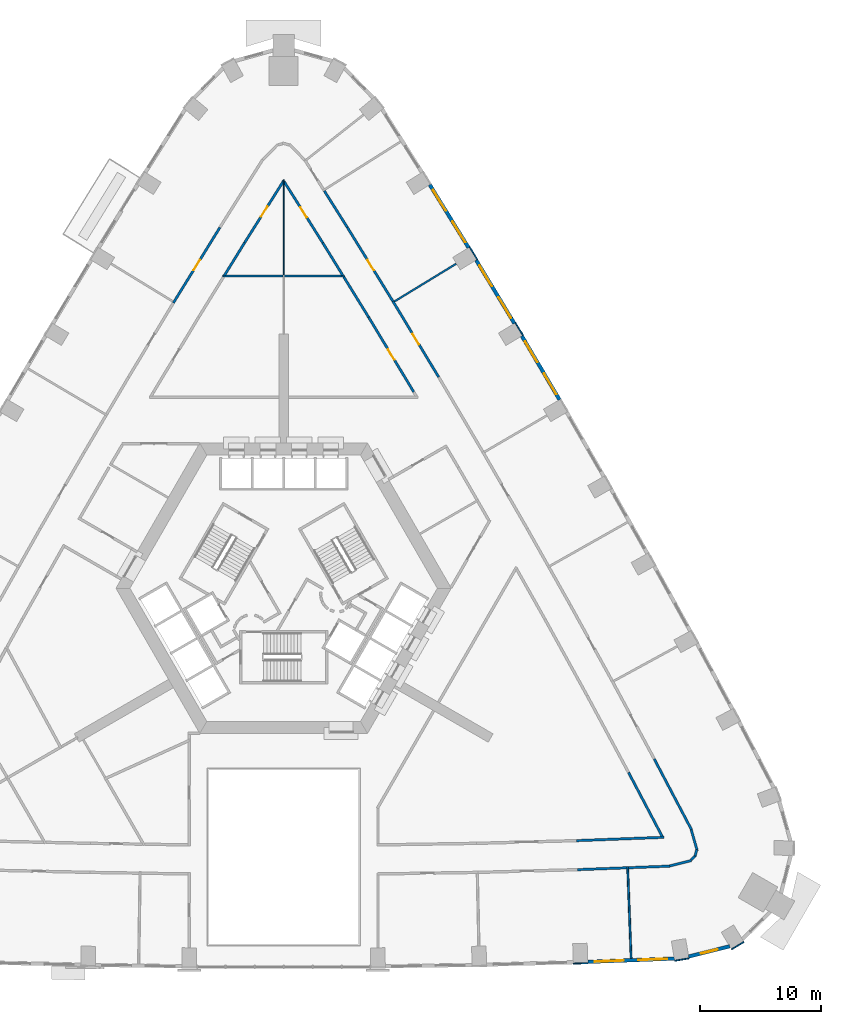
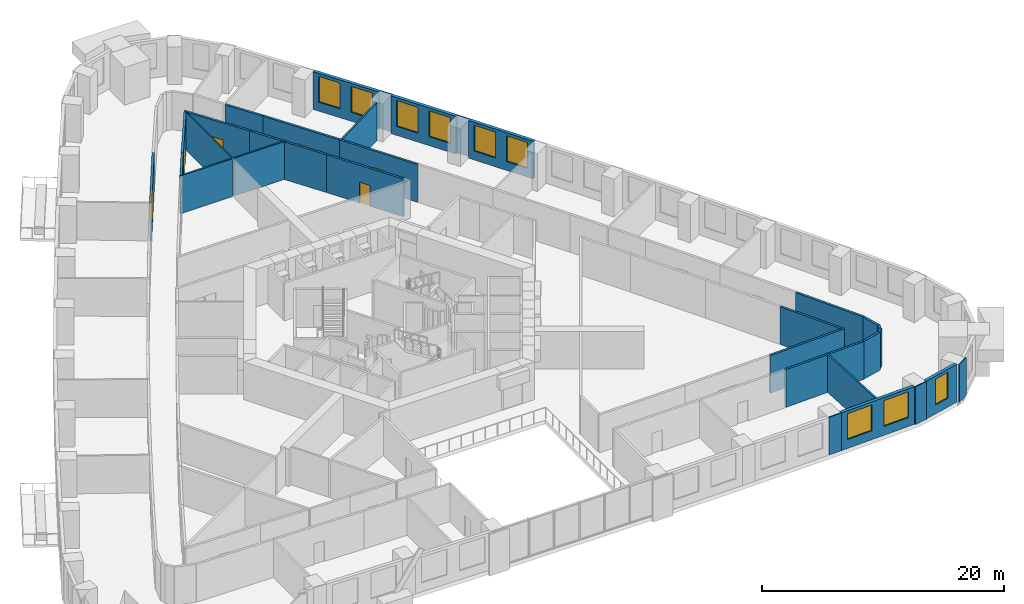
# One storey, part 10 of 15: 34 walls, 9 windows, 6 doors, 15 openings.
"""IFC4 building model written with IfcOpenShell, lengths in metres."""

from ifc_helpers import new_model, si_unit, direction, frame, frame_2d, origin, place, context, subcontext, project, spatial, rectangle, extrude, material, layer, layer_set, type_object, element, fill, save


model = new_model("IFC4")

# Units and contexts
model_context = context("Model", 3, precision=1e-05, world=origin(), true_north=direction((0.0, 1.0)))
body_context = subcontext(model_context, "Body", "Model", "MODEL_VIEW")
ifc_project = project(units=[si_unit("LENGTHUNIT", "METRE"), si_unit("AREAUNIT", "SQUARE_METRE"), si_unit("VOLUMEUNIT", "CUBIC_METRE"), si_unit("PLANEANGLEUNIT", "RADIAN"), si_unit("MASSUNIT", "GRAM", prefix="KILO")], contexts=[model_context])

# Site, building, storey
site_placement = place(None, origin())
site = spatial("IfcSite", under=ifc_project, at=site_placement, CompositionType="ELEMENT")
building_placement = place(site_placement, origin())
building = spatial("IfcBuilding", under=site, at=building_placement, Name="Entoto Arch Interchange Tower", CompositionType="ELEMENT")
storey_placement = place(building_placement, frame((0.0, 0.0, 56.0)))
storey = spatial("IfcBuildingStorey", under=building, at=storey_placement, Name="L11", CompositionType="ELEMENT", Elevation=56.0)

# Walls
ifc_material_1 = material(Name="Gypsum board partition on steel studs", Category="steel")
ifc_layer_1 = layer(ifc_material_1, 0.10009765625)
ifc_layer_set_1 = layer_set([ifc_layer_1], Name="Gypsum board partition on steel studs")
wall_type_1 = type_object("IfcWallType", Name="PARTITION 100", PredefinedType="PARTITIONING", material=ifc_layer_set_1)
wall_1_placement = place(storey_placement, frame((0.0, 28.375, 0.0), z_axis=(0.0, 0.0, 1.0), x_axis=(0.0, 1.0, 0.0)))
element("IfcWall", 1, at=wall_1_placement, inside=storey, type_object=wall_type_1, Name="wall:L11:p122", PredefinedType="PARTITIONING", context=body_context, shape_type="SweptSolid", body=[
    extrude(rectangle(XDim=7.89501953125, YDim=0.10009765625, at=frame_2d((3.947509765625, 0.0))), origin(), (0.0, 0.0, 1.0), 3.800048828125),
])
ifc_layer_2 = layer(ifc_material_1, 0.14990234375)
ifc_layer_set_2 = layer_set([ifc_layer_2], Name="Gypsum board partition on steel studs")
wall_type_2 = type_object("IfcWallType", Name="PARTITION 150", PredefinedType="PARTITIONING", material=ifc_layer_set_2)
for number, where, z_axis, x_axis, name in (
    (2, (0.050048828125, 28.300048828125, 0.0), (0.0, 0.0, 1.0), (1.0, 0.0, 0.0), "wall:L11:p120"),
    (3, (-5.02392578125, 28.300048828125, 0.0), (0.0, 0.0, 1.0), (1.0, 0.0, 0.0), "wall:L11:p121"),
):
    element("IfcWall", number, at=place(storey_placement, frame(where, z_axis=z_axis, x_axis=x_axis)), inside=storey, type_object=wall_type_2, Name=name, PredefinedType="PARTITIONING", context=body_context, shape_type="SweptSolid", body=[
        extrude(rectangle(XDim=4.973876953125, YDim=0.14990234375, at=frame_2d((2.48681640625, 0.0))), origin(), (0.0, 0.0, 1.0), 3.800048828125),
    ])
wall_2_placement = place(storey_placement, frame((28.425048828125, -20.4970703125, 0.0), z_axis=(0.0, 0.0, 1.0), x_axis=(0.03816049016, -0.999271623229, 0.0)))
element("IfcWall", 4, at=wall_2_placement, inside=storey, type_object=wall_type_2, Name="wall:L11:p133", PredefinedType="PARTITIONING", context=body_context, shape_type="SweptSolid", body=[
    extrude(rectangle(XDim=7.6005859375, YDim=0.14990234375, at=frame_2d((3.80029296875, 0.0))), origin(), (0.0, 0.0, 1.0), 3.800048828125),
])
wall_3_placement = place(storey_placement, frame((9.156005859375, 26.200927734375, 0.0), z_axis=(0.0, 0.0, 1.0), x_axis=(0.853632819511, 0.520875234057, 0.0)))
element("IfcWall", 5, at=wall_3_placement, inside=storey, type_object=wall_type_2, Name="wall:L11:p137", PredefinedType="PARTITIONING", context=body_context, shape_type="SweptSolid", body=[
    extrude(rectangle(XDim=5.980224609375, YDim=0.14990234375, at=frame_2d((2.990234375, 0.0))), origin(), (0.0, 0.0, 1.0), 3.800048828125),
])

# Wall, opening, door
ifc_layer_3 = layer(ifc_material_1, 0.199951171875)
ifc_layer_set_3 = layer_set([ifc_layer_3], Name="Gypsum board partition on steel studs")
wall_type_3 = type_object("IfcWallType", Name="PARTITION 200", PredefinedType="PARTITIONING", material=ifc_layer_set_3)
wall_4_placement = place(storey_placement, frame((10.75390625, 18.716064453125, 0.0), z_axis=(0.0, 0.0, 1.0), x_axis=(-0.516755973305, 0.856132737403, 0.0)))
wall_4 = element("IfcWall", 6, at=wall_4_placement, inside=storey, type_object=wall_type_3, Name="wall:L11:p009", PredefinedType="PARTITIONING", context=body_context, shape_type="SweptSolid", body=[
    extrude(rectangle(XDim=7.221923828125, YDim=0.199951171875, at=frame_2d((3.61083984375, 0.0))), origin(), (0.0, 0.0, 1.0), 3.800048828125),
])
opening_1_placement = place(wall_4_placement, frame((3.111083984375, 0.0, 0.0)))
opening_1 = element("IfcOpeningElement", 7, at=opening_1_placement, cuts=wall_4, Name="Opening L11-D17", PredefinedType="OPENING", context=body_context, shape_type="SweptSolid", body=[
    extrude(rectangle(XDim=1.0, YDim=2.10009765625, at=frame_2d((0.5, 1.050048828125))), frame((0.0, 0.10986328125, 0.0), z_axis=(0.0, -1.0, 0.0), x_axis=(1.0, 0.0, 0.0)), (0.0, 0.0, 1.0), 0.219970703125),
])
ifc_material_2 = material(Name="Timber door leaf in Steel S235 frame", Category="steel")
door_type = type_object("IfcDoorType", Name="DOOR DS-10 1000x2100", OperationType="SINGLE_SWING_LEFT", PredefinedType="DOOR", material=ifc_material_2)
door_1_placement = place(opening_1_placement, origin())
door_1 = element("IfcDoor", 8, at=door_1_placement, inside=storey, type_object=door_type, Name="door:L11:17", OperationType="SINGLE_SWING_LEFT", OverallHeight=2.10009765625, OverallWidth=1.0, PredefinedType="DOOR", context=body_context, shape_type="SweptSolid", body=[
    extrude(rectangle(XDim=1.0, YDim=2.10009765625, at=frame_2d((0.5, 1.050048828125))), frame((0.0, 0.02490234375, 0.0), z_axis=(0.0, -1.0, 0.0), x_axis=(1.0, 0.0, 0.0)), (0.0, 0.0, 1.0), 0.050048828125),
])
fill(opening_1, door_1)

# Walls
wall_5_placement = place(storey_placement, frame((7.02197265625, 24.89892578125, 0.0), z_axis=(0.0, 0.0, 1.0), x_axis=(-0.525104448775, 0.851037788748, 0.0)))
element("IfcWall", 9, at=wall_5_placement, inside=storey, type_object=wall_type_3, Name="wall:L11:p010", PredefinedType="PARTITIONING", context=body_context, shape_type="SweptSolid", body=[
    extrude(rectangle(XDim=3.92138671875, YDim=0.199951171875, at=frame_2d((1.960693359375, 0.0))), origin(), (0.0, 0.0, 1.0), 3.800048828125),
])
wall_6_placement = place(storey_placement, frame((4.885009765625, 28.364013671875, 0.0), z_axis=(0.0, 0.0, 1.0), x_axis=(-0.525078663571, 0.851053698107, 0.0)))
element("IfcWall", 10, at=wall_6_placement, inside=storey, type_object=wall_type_3, Name="wall:L11:p014", PredefinedType="PARTITIONING", context=body_context, shape_type="SweptSolid", body=[
    extrude(rectangle(XDim=3.150146484375, YDim=0.199951171875, at=frame_2d((1.5751953125, 0.0))), origin(), (0.0, 0.0, 1.0), 3.800048828125),
])

# Wall, opening, door
wall_7_placement = place(storey_placement, frame((3.23095703125, 31.044921875, 0.0), z_axis=(0.0, 0.0, 1.0), x_axis=(-0.533294550084, 0.845929620507, 0.0)))
wall_7 = element("IfcWall", 11, at=wall_7_placement, inside=storey, type_object=wall_type_3, Name="wall:L11:p015", PredefinedType="PARTITIONING", context=body_context, shape_type="SweptSolid", body=[
    extrude(rectangle(XDim=5.959228515625, YDim=0.199951171875, at=frame_2d((2.9794921875, 0.0))), origin(), (0.0, 0.0, 1.0), 3.800048828125),
])
opening_2_placement = place(wall_7_placement, frame((2.47900390625, 0.0, 0.0)))
opening_2 = element("IfcOpeningElement", 12, at=opening_2_placement, cuts=wall_7, Name="Opening L11-D19", PredefinedType="OPENING", context=body_context, shape_type="SweptSolid", body=[
    extrude(rectangle(XDim=1.0, YDim=2.10009765625, at=frame_2d((0.5, 1.050048828125))), frame((0.0, 0.10986328125, 0.0), z_axis=(0.0, -1.0, 0.0), x_axis=(1.0, 0.0, 0.0)), (0.0, 0.0, 1.0), 0.219970703125),
])
door_2_placement = place(opening_2_placement, origin())
door_2 = element("IfcDoor", 13, at=door_2_placement, inside=storey, type_object=door_type, Name="door:L11:19", OperationType="SINGLE_SWING_LEFT", OverallHeight=2.10009765625, OverallWidth=1.0, PredefinedType="DOOR", context=body_context, shape_type="SweptSolid", body=[
    extrude(rectangle(XDim=1.0, YDim=2.10009765625, at=frame_2d((0.5, 1.050048828125))), frame((0.0, 0.02490234375, 0.0), z_axis=(0.0, -1.0, 0.0), x_axis=(1.0, 0.0, 0.0)), (0.0, 0.0, 1.0), 0.050048828125),
])
fill(opening_2, door_2)

wall_8_placement = place(storey_placement, frame((0.027099609375, 36.212890625, 0.0), z_axis=(0.0, 0.0, 1.0), x_axis=(-0.533299680037, -0.845926386438, 0.0)))
wall_8 = element("IfcWall", 14, at=wall_8_placement, inside=storey, type_object=wall_type_3, Name="wall:L11:p016", PredefinedType="PARTITIONING", context=body_context, shape_type="SweptSolid", body=[
    extrude(rectangle(XDim=6.109130859375, YDim=0.199951171875, at=frame_2d((3.0546875, 0.0))), origin(), (0.0, 0.0, 1.0), 3.800048828125),
])
opening_3_placement = place(wall_8_placement, frame((2.553955078125, 0.0, 0.0)))
opening_3 = element("IfcOpeningElement", 15, at=opening_3_placement, cuts=wall_8, Name="Opening L11-D20", PredefinedType="OPENING", context=body_context, shape_type="SweptSolid", body=[
    extrude(rectangle(XDim=1.0, YDim=2.10009765625, at=frame_2d((0.5, 1.050048828125))), frame((0.0, 0.10986328125, 0.0), z_axis=(0.0, -1.0, 0.0), x_axis=(1.0, 0.0, 0.0)), (0.0, 0.0, 1.0), 0.219970703125),
])
door_3_placement = place(opening_3_placement, origin())
door_3 = element("IfcDoor", 16, at=door_3_placement, inside=storey, type_object=door_type, Name="door:L11:20", OperationType="SINGLE_SWING_LEFT", OverallHeight=2.10009765625, OverallWidth=1.0, PredefinedType="DOOR", context=body_context, shape_type="SweptSolid", body=[
    extrude(rectangle(XDim=1.0, YDim=2.10009765625, at=frame_2d((0.5, 1.050048828125))), frame((0.0, 0.02490234375, 0.0), z_axis=(0.0, -1.0, 0.0), x_axis=(1.0, 0.0, 0.0)), (0.0, 0.0, 1.0), 0.050048828125),
])
fill(opening_3, door_3)

# Walls
wall_9_placement = place(storey_placement, frame((-3.23095703125, 31.044921875, 0.0), z_axis=(0.0, 0.0, 1.0), x_axis=(-0.525078663571, -0.851053698107, 0.0)))
element("IfcWall", 17, at=wall_9_placement, inside=storey, type_object=wall_type_3, Name="wall:L11:p017", PredefinedType="PARTITIONING", context=body_context, shape_type="SweptSolid", body=[
    extrude(rectangle(XDim=3.150146484375, YDim=0.199951171875, at=frame_2d((1.5751953125, 0.0))), origin(), (0.0, 0.0, 1.0), 3.800048828125),
])
wall_10_placement = place(storey_placement, frame((24.2080078125, -18.35595703125, 0.0), z_axis=(0.0, 0.0, 1.0), x_axis=(0.999275140761, 0.03806826838, 0.0)))
element("IfcWall", 18, at=wall_10_placement, inside=storey, type_object=wall_type_3, Name="wall:L11:p020", PredefinedType="PARTITIONING", context=body_context, shape_type="SweptSolid", body=[
    extrude(rectangle(XDim=7.22119140625, YDim=0.199951171875, at=frame_2d((3.610595703125, 0.0))), origin(), (0.0, 0.0, 1.0), 3.800048828125),
])
wall_11_placement = place(storey_placement, frame((31.277099609375, -17.9970703125, 0.0), z_axis=(0.0, 0.0, 1.0), x_axis=(-0.465862938277, 0.884856893933, 0.0)))
element("IfcWall", 19, at=wall_11_placement, inside=storey, type_object=wall_type_3, Name="wall:L11:p021", PredefinedType="PARTITIONING", context=body_context, shape_type="SweptSolid", body=[
    extrude(rectangle(XDim=5.958984375, YDim=0.199951171875, at=frame_2d((2.9794921875, 0.0))), origin(), (0.0, 0.0, 1.0), 3.800048828125),
])
wall_12_placement = place(storey_placement, frame((28.35400390625, -20.60009765625, 0.0), z_axis=(0.0, 0.0, 1.0), x_axis=(-0.999276945714, -0.038020859604, 0.0)))
element("IfcWall", 20, at=wall_12_placement, inside=storey, type_object=wall_type_3, Name="wall:L11:p038", PredefinedType="PARTITIONING", context=body_context, shape_type="SweptSolid", body=[
    extrude(rectangle(XDim=4.071044921875, YDim=0.199951171875, at=frame_2d((2.03564453125, 0.0))), origin(), (0.0, 0.0, 1.0), 3.800048828125),
])
wall_13_placement = place(storey_placement, frame((30.618896484375, -11.594970703125, 0.0), z_axis=(0.0, 0.0, 1.0), x_axis=(0.465905874098, -0.884834287582, 0.0)))
element("IfcWall", 21, at=wall_13_placement, inside=storey, type_object=wall_type_3, Name="wall:L11:p041", PredefinedType="PARTITIONING", context=body_context, shape_type="SweptSolid", body=[
    extrude(rectangle(XDim=6.626220703125, YDim=0.199951171875, at=frame_2d((3.31298828125, 0.0))), origin(), (0.0, 0.0, 1.0), 3.800048828125),
])
wall_14_placement = place(storey_placement, frame((33.68701171875, -17.466064453125, 0.0), z_axis=(0.0, 0.0, 1.0), x_axis=(0.272780480932, -0.962076301144, 0.0)))
element("IfcWall", 22, at=wall_14_placement, inside=storey, type_object=wall_type_3, Name="wall:L11:p042", PredefinedType="PARTITIONING", context=body_context, shape_type="SweptSolid", body=[
    extrude(rectangle(XDim=1.7783203125, YDim=0.199951171875, at=frame_2d((0.88916015625, 0.0))), origin(), (0.0, 0.0, 1.0), 3.800048828125),
])
wall_15_placement = place(storey_placement, frame((34.139892578125, -19.09912109375, 0.0), z_axis=(0.0, 0.0, 1.0), x_axis=(-0.249326881699, -0.968419385423, 0.0)))
element("IfcWall", 23, at=wall_15_placement, inside=storey, type_object=wall_type_3, Name="wall:L11:p043", PredefinedType="PARTITIONING", context=body_context, shape_type="SweptSolid", body=[
    extrude(rectangle(XDim=0.54931640625, YDim=0.199951171875, at=frame_2d((0.274658203125, 0.0))), origin(), (0.0, 0.0, 1.0), 3.800048828125),
])
wall_16_placement = place(storey_placement, frame((34.073974609375, -19.56201171875, 0.0), z_axis=(0.0, 0.0, 1.0), x_axis=(-0.713456013967, -0.700700018649, 0.0)))
element("IfcWall", 24, at=wall_16_placement, inside=storey, type_object=wall_type_3, Name="wall:L11:p044", PredefinedType="PARTITIONING", context=body_context, shape_type="SweptSolid", body=[
    extrude(rectangle(XDim=0.554931640625, YDim=0.199951171875, at=frame_2d((0.27734375, 0.0))), origin(), (0.0, 0.0, 1.0), 3.800048828125),
])
wall_17_placement = place(storey_placement, frame((33.702880859375, -19.9970703125, 0.0), z_axis=(0.0, 0.0, 1.0), x_axis=(-0.970421070494, -0.241418611423, 0.0)))
element("IfcWall", 25, at=wall_17_placement, inside=storey, type_object=wall_type_3, Name="wall:L11:p045", PredefinedType="PARTITIONING", context=body_context, shape_type="SweptSolid", body=[
    extrude(rectangle(XDim=1.8515625, YDim=0.199951171875, at=frame_2d((0.92578125, 0.0))), origin(), (0.0, 0.0, 1.0), 3.800048828125),
])
wall_18_placement = place(storey_placement, frame((31.908935546875, -20.464111328125, 0.0), z_axis=(0.0, 0.0, 1.0), x_axis=(-0.999273295147, -0.038116684091, 0.0)))
element("IfcWall", 26, at=wall_18_placement, inside=storey, type_object=wall_type_3, Name="wall:L11:p046", PredefinedType="PARTITIONING", context=body_context, shape_type="SweptSolid", body=[
    extrude(rectangle(XDim=3.407470703125, YDim=0.199951171875, at=frame_2d((1.70361328125, 0.0))), origin(), (0.0, 0.0, 1.0), 3.800048828125),
])

# Wall, opening, door
wall_19_placement = place(storey_placement, frame((9.031982421875, 26.212890625, 0.0), z_axis=(0.0, 0.0, 1.0), x_axis=(0.516789314756, -0.856112611841, 0.0)))
wall_19 = element("IfcWall", 27, at=wall_19_placement, inside=storey, type_object=wall_type_3, Name="wall:L11:p051", PredefinedType="PARTITIONING", context=body_context, shape_type="SweptSolid", body=[
    extrude(rectangle(XDim=7.320068359375, YDim=0.199951171875, at=frame_2d((3.66015625, 0.0))), origin(), (0.0, 0.0, 1.0), 3.800048828125),
])
opening_4_placement = place(wall_19_placement, frame((3.159912109375, 0.0, 0.0)))
opening_4 = element("IfcOpeningElement", 28, at=opening_4_placement, cuts=wall_19, Name="Opening L11-D06", PredefinedType="OPENING", context=body_context, shape_type="SweptSolid", body=[
    extrude(rectangle(XDim=1.0, YDim=2.10009765625, at=frame_2d((0.5, 1.050048828125))), frame((0.0, 0.10986328125, 0.0), z_axis=(0.0, -1.0, 0.0), x_axis=(1.0, 0.0, 0.0)), (0.0, 0.0, 1.0), 0.219970703125),
])
door_4_placement = place(opening_4_placement, origin())
door_4 = element("IfcDoor", 29, at=door_4_placement, inside=storey, type_object=door_type, Name="door:L11:06", OperationType="SINGLE_SWING_LEFT", OverallHeight=2.10009765625, OverallWidth=1.0, PredefinedType="DOOR", context=body_context, shape_type="SweptSolid", body=[
    extrude(rectangle(XDim=1.0, YDim=2.10009765625, at=frame_2d((0.5, 1.050048828125))), frame((0.0, 0.02490234375, 0.0), z_axis=(0.0, -1.0, 0.0), x_axis=(1.0, 0.0, 0.0)), (0.0, 0.0, 1.0), 0.050048828125),
])
fill(opening_4, door_4)

# Wall
wall_20_placement = place(storey_placement, frame((3.35888671875, 35.341064453125, 0.0), z_axis=(0.0, 0.0, 1.0), x_axis=(0.533386910893, -0.845871386966, 0.0)))
element("IfcWall", 30, at=wall_20_placement, inside=storey, type_object=wall_type_3, Name="wall:L11:p053", PredefinedType="PARTITIONING", context=body_context, shape_type="SweptSolid", body=[
    extrude(rectangle(XDim=3.57763671875, YDim=0.199951171875, at=frame_2d((1.788818359375, 0.0))), origin(), (0.0, 0.0, 1.0), 3.800048828125),
])

# Wall, opening, door
wall_21_placement = place(storey_placement, frame((5.26708984375, 32.31494140625, 0.0), z_axis=(0.0, 0.0, 1.0), x_axis=(0.524988204957, -0.851109502153, 0.0)))
wall_21 = element("IfcWall", 31, at=wall_21_placement, inside=storey, type_object=wall_type_3, Name="wall:L11:p054", PredefinedType="PARTITIONING", context=body_context, shape_type="SweptSolid", body=[
    extrude(rectangle(XDim=7.16943359375, YDim=0.199951171875, at=frame_2d((3.584716796875, 0.0))), origin(), (0.0, 0.0, 1.0), 3.800048828125),
])
opening_5_placement = place(wall_21_placement, frame((3.159912109375, 0.0, 0.0)))
opening_5 = element("IfcOpeningElement", 32, at=opening_5_placement, cuts=wall_21, Name="Opening L11-D07", PredefinedType="OPENING", context=body_context, shape_type="SweptSolid", body=[
    extrude(rectangle(XDim=1.0, YDim=2.10009765625, at=frame_2d((0.5, 1.050048828125))), frame((0.0, 0.10986328125, 0.0), z_axis=(0.0, -1.0, 0.0), x_axis=(1.0, 0.0, 0.0)), (0.0, 0.0, 1.0), 0.219970703125),
])
door_5_placement = place(opening_5_placement, origin())
door_5 = element("IfcDoor", 33, at=door_5_placement, inside=storey, type_object=door_type, Name="door:L11:07", OperationType="SINGLE_SWING_RIGHT", OverallHeight=2.10009765625, OverallWidth=1.0, PredefinedType="DOOR", context=body_context, shape_type="SweptSolid", body=[
    extrude(rectangle(XDim=1.0, YDim=2.10009765625, at=frame_2d((0.5, 1.050048828125))), frame((0.0, 0.02490234375, 0.0), z_axis=(0.0, -1.0, 0.0), x_axis=(1.0, 0.0, 0.0)), (0.0, 0.0, 1.0), 0.050048828125),
])
fill(opening_5, door_5)

wall_22_placement = place(storey_placement, frame((-9.110107421875, 26.0849609375, 0.0), z_axis=(0.0, 0.0, 1.0), x_axis=(0.525007100846, 0.85109784635, 0.0)))
wall_22 = element("IfcWall", 34, at=wall_22_placement, inside=storey, type_object=wall_type_3, Name="wall:L11:p056", PredefinedType="PARTITIONING", context=body_context, shape_type="SweptSolid", body=[
    extrude(rectangle(XDim=7.31982421875, YDim=0.199951171875, at=frame_2d((3.659912109375, 0.0))), origin(), (0.0, 0.0, 1.0), 3.800048828125),
])
opening_6_placement = place(wall_22_placement, frame((3.159912109375, 0.0, 0.0)))
opening_6 = element("IfcOpeningElement", 35, at=opening_6_placement, cuts=wall_22, Name="Opening L11-D09", PredefinedType="OPENING", context=body_context, shape_type="SweptSolid", body=[
    extrude(rectangle(XDim=1.0, YDim=2.10009765625, at=frame_2d((0.5, 1.050048828125))), frame((0.0, 0.10986328125, 0.0), z_axis=(0.0, -1.0, 0.0), x_axis=(1.0, 0.0, 0.0)), (0.0, 0.0, 1.0), 0.219970703125),
])
door_6_placement = place(opening_6_placement, origin())
door_6 = element("IfcDoor", 36, at=door_6_placement, inside=storey, type_object=door_type, Name="door:L11:09", OperationType="SINGLE_SWING_RIGHT", OverallHeight=2.10009765625, OverallWidth=1.0, PredefinedType="DOOR", context=body_context, shape_type="SweptSolid", body=[
    extrude(rectangle(XDim=1.0, YDim=2.10009765625, at=frame_2d((0.5, 1.050048828125))), frame((0.0, 0.02490234375, 0.0), z_axis=(0.0, -1.0, 0.0), x_axis=(1.0, 0.0, 0.0)), (0.0, 0.0, 1.0), 0.050048828125),
])
fill(opening_6, door_6)

# Wall, openings, windows
ifc_material_3 = material(Name="Welded tuff (ignimbrite) cladding, warm buff", Category="masonry")
ifc_layer_4 = layer(ifc_material_3, 0.300048828125)
ifc_layer_set_4 = layer_set([ifc_layer_4], Name="Welded tuff (ignimbrite) cladding, warm buff")
wall_type_4 = type_object("IfcWallType", Name="STONE INFILL WALL 300", PredefinedType="STANDARD", material=ifc_layer_set_4)
wall_23_placement = place(storey_placement, frame((25.134033203125, -28.3779296875, 0.0), z_axis=(0.0, 0.0, 1.0), x_axis=(0.999276920032, 0.038021534562, 0.0)))
wall_23 = element("IfcWall", 37, at=wall_23_placement, inside=storey, type_object=wall_type_4, Name="Facade wall S-07 L11", PredefinedType="STANDARD", context=body_context, shape_type="SweptSolid", body=[
    extrude(rectangle(XDim=7.153076171875, YDim=0.300048828125, at=frame_2d((3.57666015625, 0.0))), origin(), (0.0, 0.0, 1.0), 3.800048828125),
])
opening_7_placement = place(wall_23_placement, frame((0.587890625, 0.0, 0.89990234375)))
opening_7 = element("IfcOpeningElement", 38, at=opening_7_placement, cuts=wall_23, Name="Opening WO-A", PredefinedType="OPENING", context=body_context, shape_type="SweptSolid", body=[
    extrude(rectangle(XDim=2.39990234375, YDim=2.60009765625, at=frame_2d((1.199951171875, 1.300048828125))), frame((0.0, 0.16015625, 0.0), z_axis=(0.0, -1.0, 0.0), x_axis=(1.0, 0.0, 0.0)), (0.0, 0.0, 1.0), 0.320068359375),
])
opening_8_placement = place(wall_23_placement, frame((4.1650390625, 0.0, 0.89990234375)))
opening_8 = element("IfcOpeningElement", 39, at=opening_8_placement, cuts=wall_23, Name="Opening WO-A", PredefinedType="OPENING", context=body_context, shape_type="SweptSolid", body=[
    extrude(rectangle(XDim=2.39990234375, YDim=2.60009765625, at=frame_2d((1.199951171875, 1.300048828125))), frame((0.0, 0.16015625, 0.0), z_axis=(0.0, -1.0, 0.0), x_axis=(1.0, 0.0, 0.0)), (0.0, 0.0, 1.0), 0.320068359375),
])
ifc_material_4 = material(Name="Clear glass, low-e double glazed", Category="glass")
window_type_1 = type_object("IfcWindowType", Name="WINDOW WO-A 2400x2600", PartitioningType="DOUBLE_PANEL_VERTICAL", PredefinedType="WINDOW", material=ifc_material_4)
window_1_placement = place(opening_7_placement, origin())
window_1 = element("IfcWindow", 40, at=window_1_placement, inside=storey, type_object=window_type_1, Name="Window WO-A S-07 L11", OverallHeight=2.60009765625, OverallWidth=2.39990234375, PartitioningType="SINGLE_PANEL", PredefinedType="WINDOW", context=body_context, shape_type="SweptSolid", body=[
    extrude(rectangle(XDim=2.39990234375, YDim=2.60009765625, at=frame_2d((1.199951171875, 1.300048828125))), frame((0.0, 0.030029296875, 0.0), z_axis=(0.0, -1.0, 0.0), x_axis=(1.0, 0.0, 0.0)), (0.0, 0.0, 1.0), 0.06005859375),
])
fill(opening_7, window_1)
window_2_placement = place(opening_8_placement, origin())
window_2 = element("IfcWindow", 41, at=window_2_placement, inside=storey, type_object=window_type_1, Name="Window WO-A S-07 L11", OverallHeight=2.60009765625, OverallWidth=2.39990234375, PartitioningType="SINGLE_PANEL", PredefinedType="WINDOW", context=body_context, shape_type="SweptSolid", body=[
    extrude(rectangle(XDim=2.39990234375, YDim=2.60009765625, at=frame_2d((1.199951171875, 1.300048828125))), frame((0.0, 0.030029296875, 0.0), z_axis=(0.0, -1.0, 0.0), x_axis=(1.0, 0.0, 0.0)), (0.0, 0.0, 1.0), 0.06005859375),
])
fill(opening_8, window_2)

# Wall, opening, window
wall_24_placement = place(storey_placement, frame((33.468994140625, -27.93896484375, 0.0), z_axis=(0.0, 0.0, 1.0), x_axis=(0.970331016871, 0.241780308749, 0.0)))
wall_24 = element("IfcWall", 42, at=wall_24_placement, inside=storey, type_object=wall_type_4, Name="Facade wall SE-01 L11", PredefinedType="STANDARD", context=body_context, shape_type="SweptSolid", body=[
    extrude(rectangle(XDim=3.498779296875, YDim=0.300048828125, at=frame_2d((1.74951171875, 0.0))), origin(), (0.0, 0.0, 1.0), 3.800048828125),
])
opening_9_placement = place(wall_24_placement, frame((1.049072265625, 0.0, 0.89990234375)))
opening_9 = element("IfcOpeningElement", 43, at=opening_9_placement, cuts=wall_24, Name="Opening WO-B", PredefinedType="OPENING", context=body_context, shape_type="SweptSolid", body=[
    extrude(rectangle(XDim=1.39990234375, YDim=2.60009765625, at=frame_2d((0.699951171875, 1.300048828125))), frame((0.0, 0.16015625, 0.0), z_axis=(0.0, -1.0, 0.0), x_axis=(1.0, 0.0, 0.0)), (0.0, 0.0, 1.0), 0.320068359375),
])
window_type_2 = type_object("IfcWindowType", Name="WINDOW WO-B 1400x2600", PartitioningType="DOUBLE_PANEL_VERTICAL", PredefinedType="WINDOW", material=ifc_material_4)
window_3_placement = place(opening_9_placement, origin())
window_3 = element("IfcWindow", 44, at=window_3_placement, inside=storey, type_object=window_type_2, Name="Window WO-B SE-01 L11", OverallHeight=2.60009765625, OverallWidth=1.39990234375, PartitioningType="SINGLE_PANEL", PredefinedType="WINDOW", context=body_context, shape_type="SweptSolid", body=[
    extrude(rectangle(XDim=1.39990234375, YDim=2.60009765625, at=frame_2d((0.699951171875, 1.300048828125))), frame((0.0, 0.030029296875, 0.0), z_axis=(0.0, -1.0, 0.0), x_axis=(1.0, 0.0, 0.0)), (0.0, 0.0, 1.0), 0.06005859375),
])
fill(opening_9, window_3)

# Wall, openings, windows
wall_25_placement = place(storey_placement, frame((22.800048828125, 18.080078125, 0.0), z_axis=(0.0, 0.0, 1.0), x_axis=(-0.508412153373, 0.861113861404, 0.0)))
wall_25 = element("IfcWall", 45, at=wall_25_placement, inside=storey, type_object=wall_type_4, Name="Facade wall NE-06 L11", PredefinedType="STANDARD", context=body_context, shape_type="SweptSolid", body=[
    extrude(rectangle(XDim=6.12109375, YDim=0.300048828125, at=frame_2d((3.060546875, 0.0))), origin(), (0.0, 0.0, 1.0), 3.800048828125),
])
opening_10_placement = place(wall_25_placement, frame((0.530029296875, 0.0, 0.89990234375)))
opening_10 = element("IfcOpeningElement", 46, at=opening_10_placement, cuts=wall_25, Name="Opening WO-C", PredefinedType="OPENING", context=body_context, shape_type="SweptSolid", body=[
    extrude(rectangle(XDim=2.0, YDim=2.60009765625, at=frame_2d((1.0, 1.300048828125))), frame((0.0, 0.16015625, 0.0), z_axis=(0.0, -1.0, 0.0), x_axis=(1.0, 0.0, 0.0)), (0.0, 0.0, 1.0), 0.320068359375),
])
opening_11_placement = place(wall_25_placement, frame((3.591064453125, 0.0, 0.89990234375)))
opening_11 = element("IfcOpeningElement", 47, at=opening_11_placement, cuts=wall_25, Name="Opening WO-C", PredefinedType="OPENING", context=body_context, shape_type="SweptSolid", body=[
    extrude(rectangle(XDim=2.0, YDim=2.60009765625, at=frame_2d((1.0, 1.300048828125))), frame((0.0, 0.16015625, 0.0), z_axis=(0.0, -1.0, 0.0), x_axis=(1.0, 0.0, 0.0)), (0.0, 0.0, 1.0), 0.320068359375),
])
window_type_3 = type_object("IfcWindowType", Name="WINDOW WO-C 2000x2600", PartitioningType="DOUBLE_PANEL_VERTICAL", PredefinedType="WINDOW", material=ifc_material_4)
window_4_placement = place(opening_10_placement, origin())
window_4 = element("IfcWindow", 48, at=window_4_placement, inside=storey, type_object=window_type_3, Name="Window WO-C NE-06 L11", OverallHeight=2.60009765625, OverallWidth=2.0, PartitioningType="SINGLE_PANEL", PredefinedType="WINDOW", context=body_context, shape_type="SweptSolid", body=[
    extrude(rectangle(XDim=2.0, YDim=2.60009765625, at=frame_2d((1.0, 1.300048828125))), frame((0.0, 0.030029296875, 0.0), z_axis=(0.0, -1.0, 0.0), x_axis=(1.0, 0.0, 0.0)), (0.0, 0.0, 1.0), 0.06005859375),
])
fill(opening_10, window_4)
window_5_placement = place(opening_11_placement, origin())
window_5 = element("IfcWindow", 49, at=window_5_placement, inside=storey, type_object=window_type_3, Name="Window WO-C NE-06 L11", OverallHeight=2.60009765625, OverallWidth=2.0, PartitioningType="SINGLE_PANEL", PredefinedType="WINDOW", context=body_context, shape_type="SweptSolid", body=[
    extrude(rectangle(XDim=2.0, YDim=2.60009765625, at=frame_2d((1.0, 1.300048828125))), frame((0.0, 0.030029296875, 0.0), z_axis=(0.0, -1.0, 0.0), x_axis=(1.0, 0.0, 0.0)), (0.0, 0.0, 1.0), 0.06005859375),
])
fill(opening_11, window_5)

wall_26_placement = place(storey_placement, frame((19.073974609375, 24.3798828125, 0.0), z_axis=(0.0, 0.0, 1.0), x_axis=(-0.516699243123, 0.856166976796, 0.0)))
wall_26 = element("IfcWall", 50, at=wall_26_placement, inside=storey, type_object=wall_type_4, Name="Facade wall NE-07 L11", PredefinedType="STANDARD", context=body_context, shape_type="SweptSolid", body=[
    extrude(rectangle(XDim=6.121826171875, YDim=0.300048828125, at=frame_2d((3.06103515625, 0.0))), origin(), (0.0, 0.0, 1.0), 3.800048828125),
])
opening_12_placement = place(wall_26_placement, frame((0.530029296875, 0.0, 0.89990234375)))
opening_12 = element("IfcOpeningElement", 51, at=opening_12_placement, cuts=wall_26, Name="Opening WO-C", PredefinedType="OPENING", context=body_context, shape_type="SweptSolid", body=[
    extrude(rectangle(XDim=2.0, YDim=2.60009765625, at=frame_2d((1.0, 1.300048828125))), frame((0.0, 0.16015625, 0.0), z_axis=(0.0, -1.0, 0.0), x_axis=(1.0, 0.0, 0.0)), (0.0, 0.0, 1.0), 0.320068359375),
])
opening_13_placement = place(wall_26_placement, frame((3.591064453125, 0.0, 0.89990234375)))
opening_13 = element("IfcOpeningElement", 52, at=opening_13_placement, cuts=wall_26, Name="Opening WO-C", PredefinedType="OPENING", context=body_context, shape_type="SweptSolid", body=[
    extrude(rectangle(XDim=2.0, YDim=2.60009765625, at=frame_2d((1.0, 1.300048828125))), frame((0.0, 0.16015625, 0.0), z_axis=(0.0, -1.0, 0.0), x_axis=(1.0, 0.0, 0.0)), (0.0, 0.0, 1.0), 0.320068359375),
])
window_6_placement = place(opening_12_placement, origin())
window_6 = element("IfcWindow", 53, at=window_6_placement, inside=storey, type_object=window_type_3, Name="Window WO-C NE-07 L11", OverallHeight=2.60009765625, OverallWidth=2.0, PartitioningType="SINGLE_PANEL", PredefinedType="WINDOW", context=body_context, shape_type="SweptSolid", body=[
    extrude(rectangle(XDim=2.0, YDim=2.60009765625, at=frame_2d((1.0, 1.300048828125))), frame((0.0, 0.030029296875, 0.0), z_axis=(0.0, -1.0, 0.0), x_axis=(1.0, 0.0, 0.0)), (0.0, 0.0, 1.0), 0.06005859375),
])
fill(opening_12, window_6)
window_7_placement = place(opening_13_placement, origin())
window_7 = element("IfcWindow", 54, at=window_7_placement, inside=storey, type_object=window_type_3, Name="Window WO-C NE-07 L11", OverallHeight=2.60009765625, OverallWidth=2.0, PartitioningType="SINGLE_PANEL", PredefinedType="WINDOW", context=body_context, shape_type="SweptSolid", body=[
    extrude(rectangle(XDim=2.0, YDim=2.60009765625, at=frame_2d((1.0, 1.300048828125))), frame((0.0, 0.030029296875, 0.0), z_axis=(0.0, -1.0, 0.0), x_axis=(1.0, 0.0, 0.0)), (0.0, 0.0, 1.0), 0.06005859375),
])
fill(opening_13, window_7)

wall_27_placement = place(storey_placement, frame((15.287109375, 30.64404296875, 0.0), z_axis=(0.0, 0.0, 1.0), x_axis=(-0.525114088226, 0.851031840971, 0.0)))
wall_27 = element("IfcWall", 55, at=wall_27_placement, inside=storey, type_object=wall_type_4, Name="Facade wall NE-08 L11", PredefinedType="STANDARD", context=body_context, shape_type="SweptSolid", body=[
    extrude(rectangle(XDim=6.120849609375, YDim=0.300048828125, at=frame_2d((3.060546875, 0.0))), origin(), (0.0, 0.0, 1.0), 3.800048828125),
])
opening_14_placement = place(wall_27_placement, frame((0.530029296875, 0.0, 0.89990234375)))
opening_14 = element("IfcOpeningElement", 56, at=opening_14_placement, cuts=wall_27, Name="Opening WO-C", PredefinedType="OPENING", context=body_context, shape_type="SweptSolid", body=[
    extrude(rectangle(XDim=2.0, YDim=2.60009765625, at=frame_2d((1.0, 1.300048828125))), frame((0.0, 0.16015625, 0.0), z_axis=(0.0, -1.0, 0.0), x_axis=(1.0, 0.0, 0.0)), (0.0, 0.0, 1.0), 0.320068359375),
])
opening_15_placement = place(wall_27_placement, frame((3.591064453125, 0.0, 0.89990234375)))
opening_15 = element("IfcOpeningElement", 57, at=opening_15_placement, cuts=wall_27, Name="Opening WO-C", PredefinedType="OPENING", context=body_context, shape_type="SweptSolid", body=[
    extrude(rectangle(XDim=2.0, YDim=2.60009765625, at=frame_2d((1.0, 1.300048828125))), frame((0.0, 0.16015625, 0.0), z_axis=(0.0, -1.0, 0.0), x_axis=(1.0, 0.0, 0.0)), (0.0, 0.0, 1.0), 0.320068359375),
])
window_8_placement = place(opening_14_placement, origin())
window_8 = element("IfcWindow", 58, at=window_8_placement, inside=storey, type_object=window_type_3, Name="Window WO-C NE-08 L11", OverallHeight=2.60009765625, OverallWidth=2.0, PartitioningType="SINGLE_PANEL", PredefinedType="WINDOW", context=body_context, shape_type="SweptSolid", body=[
    extrude(rectangle(XDim=2.0, YDim=2.60009765625, at=frame_2d((1.0, 1.300048828125))), frame((0.0, 0.030029296875, 0.0), z_axis=(0.0, -1.0, 0.0), x_axis=(1.0, 0.0, 0.0)), (0.0, 0.0, 1.0), 0.06005859375),
])
fill(opening_14, window_8)
window_9_placement = place(opening_15_placement, origin())
window_9 = element("IfcWindow", 59, at=window_9_placement, inside=storey, type_object=window_type_3, Name="Window WO-C NE-08 L11", OverallHeight=2.60009765625, OverallWidth=2.0, PartitioningType="SINGLE_PANEL", PredefinedType="WINDOW", context=body_context, shape_type="SweptSolid", body=[
    extrude(rectangle(XDim=2.0, YDim=2.60009765625, at=frame_2d((1.0, 1.300048828125))), frame((0.0, 0.030029296875, 0.0), z_axis=(0.0, -1.0, 0.0), x_axis=(1.0, 0.0, 0.0)), (0.0, 0.0, 1.0), 0.06005859375),
])
fill(opening_15, window_9)

# Walls
ifc_layer_5 = layer(ifc_material_3, 0.10009765625)
ifc_layer_set_5 = layer_set([ifc_layer_5], Name="Welded tuff (ignimbrite) cladding, warm buff")
wall_type_5 = type_object("IfcWallType", Name="STONE PIER CLADDING 100", PredefinedType="STANDARD", material=ifc_layer_set_5)
for number, where, z_axis, x_axis, name in (
    (60, (19.777099609375, 23.403076171875, 0.0), (0.0, 0.0, 1.0), (-0.513388576555, 0.858156261682, 0.0), "Stone pier NE07 L11"),
    (61, (15.9990234375, 29.674072265625, 0.0), (0.0, 0.0, 1.0), (-0.521598117945, 0.853191305251, 0.0), "Stone pier NE08 L11"),
):
    element("IfcWall", number, at=place(storey_placement, frame(where, z_axis=z_axis, x_axis=x_axis)), inside=storey, type_object=wall_type_5, Name=name, PredefinedType="STANDARD", context=body_context, shape_type="SweptSolid", body=[
        extrude(rectangle(XDim=1.2001953125, YDim=0.10009765625, at=frame_2d((0.60009765625, 0.0))), origin(), (0.0, 0.0, 1.0), 3.800048828125),
    ])
for number, where, z_axis, x_axis, name in (
    (62, (23.93896484375, -28.52099609375, 0.0), (0.0, 0.0, 1.0), (0.999442872267, 0.03337581573, 0.0), "Stone pier S07 L11"),
    (63, (32.31103515625, -28.282958984375, 0.0), (0.0, 0.0, 1.0), (0.986011774526, 0.166675674579, 0.0), "Stone pier S08 L11"),
):
    element("IfcWall", number, at=place(storey_placement, frame(where, z_axis=z_axis, x_axis=x_axis)), inside=storey, type_object=wall_type_5, Name=name, PredefinedType="STANDARD", context=body_context, shape_type="SweptSolid", body=[
        extrude(rectangle(XDim=1.19970703125, YDim=0.10009765625, at=frame_2d((0.599853515625, 0.0))), origin(), (0.0, 0.0, 1.0), 3.800048828125),
    ])
wall_28_placement = place(storey_placement, frame((37.01611328125, -27.344970703125, 0.0), z_axis=(0.0, 0.0, 1.0), x_axis=(0.854716608594, 0.519094903649, 0.0)))
element("IfcWall", 64, at=wall_28_placement, inside=storey, type_object=wall_type_5, Name="Stone pier SE1 L11", PredefinedType="STANDARD", context=body_context, shape_type="SweptSolid", body=[
    extrude(rectangle(XDim=1.2001953125, YDim=0.10009765625, at=frame_2d((0.60009765625, 0.0))), origin(), (0.0, 0.0, 1.0), 3.800048828125),
])

save(model, "model.ifc")
